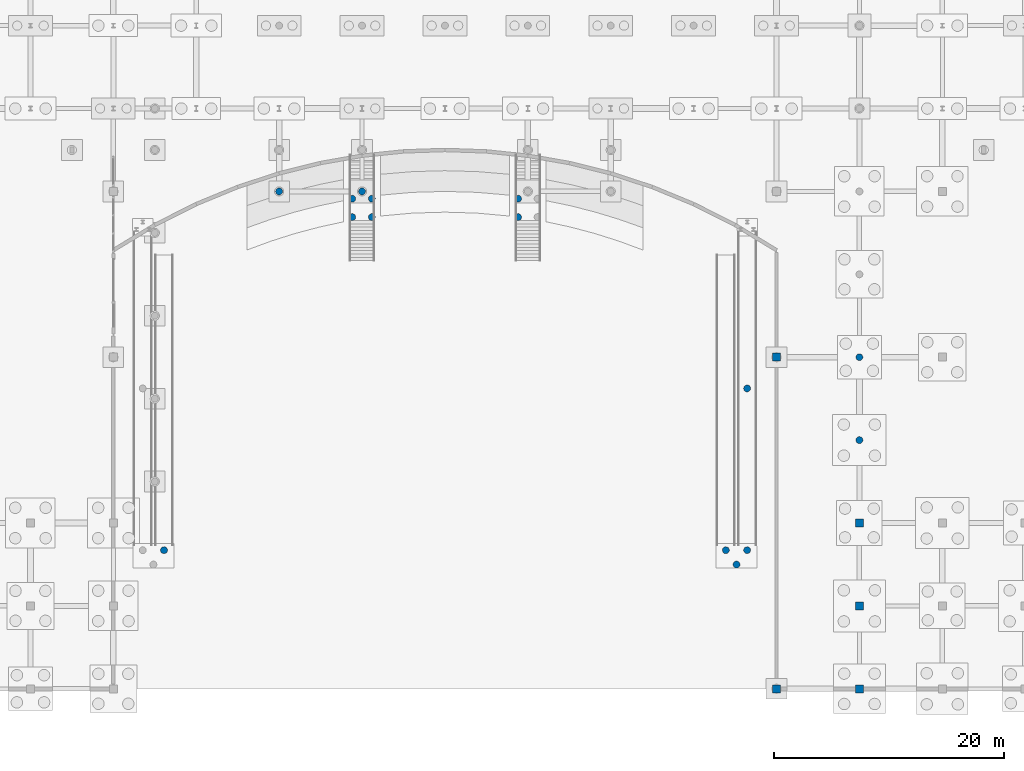
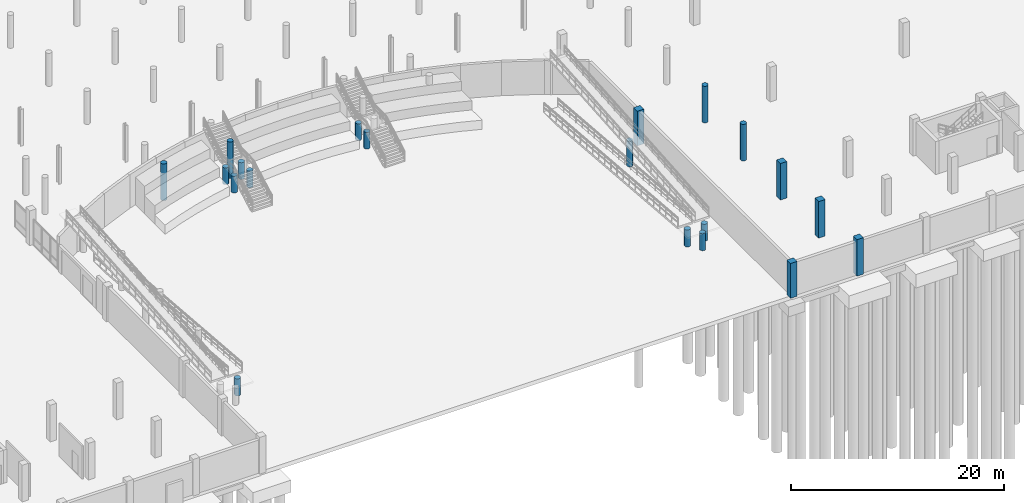
# One storey, part 22 of 56: 20 columns.
"""IFC4 building model written with IfcOpenShell, lengths in metres."""

from ifc_helpers import new_model, si_unit, direction, frame, origin, origin_2d, place, context, subcontext, project, spatial, rectangle, circle, extrude, material, material_profile, profile_set, type_object, element, save


model = new_model("IFC4")

# Units and contexts
model_context = context("Model", 3, precision=1e-05, world=origin(), true_north=direction((0.0, 1.0)))
body_context = subcontext(model_context, "Body", "Model", "MODEL_VIEW")
ifc_project = project(units=[si_unit("LENGTHUNIT", "METRE"), si_unit("AREAUNIT", "SQUARE_METRE"), si_unit("VOLUMEUNIT", "CUBIC_METRE"), si_unit("PLANEANGLEUNIT", "RADIAN"), si_unit("MASSUNIT", "GRAM", prefix="KILO")], contexts=[model_context])

# Site, building, storey
site_placement = place(None, origin())
site = spatial("IfcSite", under=ifc_project, at=site_placement, CompositionType="ELEMENT")
building_placement = place(site_placement, origin())
building = spatial("IfcBuilding", under=site, at=building_placement, Name="Suanplinth Sawtooth Commons", CompositionType="ELEMENT")
storey_placement = place(building_placement, frame((0.0, 0.0, -4.199951171875)))
storey = spatial("IfcBuildingStorey", under=building, at=storey_placement, Name="B1", CompositionType="ELEMENT", Elevation=-4.199951171875)

# Columns
ifc_material = material(Name="Concrete C40/50", Category="concrete")
ifc_material_profile_1 = material_profile(ifc_material, rectangle(XDim=0.699951171875, YDim=0.699951171875, at=origin_2d()), Name="RC-COL 700x700")
ifc_profile_set_1 = profile_set([ifc_material_profile_1], Name="Concrete C40/50")
column_type_1 = type_object("IfcColumnType", Name="C-02", PredefinedType="COLUMN", material=ifc_profile_set_1)
for number, where, z_axis, x_axis, name in (
    (1, (115.199951171875, 0.0, 0.0), (0.0, 0.0, 1.0), (1.0, 0.0, 0.0), "Column B1 17/A"),
    (2, (115.199951171875, 28.800048828125, 0.0), (0.0, 0.0, 1.0), (1.0, 0.0, 0.0), "Column B1 17/E"),
):
    element("IfcColumn", number, at=place(storey_placement, frame(where, z_axis=z_axis, x_axis=x_axis)), inside=storey, type_object=column_type_1, Name=name, PredefinedType="COLUMN", context=body_context, shape_type="SweptSolid", body=[
        extrude(rectangle(XDim=0.699951171875, YDim=0.699951171875, at=origin_2d()), origin(), (0.0, 0.0, 1.0), 3.97998046875),
    ])
for number, where, z_axis, x_axis, name in (
    (3, (122.39990234375, 0.0, 0.0), (0.0, 0.0, 1.0), (1.0, 0.0, 0.0), "Column B1 18/A"),
    (4, (122.39990234375, 7.199951171875, 0.0), (0.0, 0.0, 1.0), (1.0, 0.0, 0.0), "Column B1 18/B"),
    (5, (122.39990234375, 14.39990234375, 0.0), (0.0, 0.0, 1.0), (1.0, 0.0, 0.0), "Column B1 18/C"),
):
    element("IfcColumn", number, at=place(storey_placement, frame(where, z_axis=z_axis, x_axis=x_axis)), inside=storey, type_object=column_type_1, Name=name, PredefinedType="COLUMN", context=body_context, shape_type="SweptSolid", body=[
        extrude(rectangle(XDim=0.699951171875, YDim=0.699951171875, at=origin_2d()), origin(), (0.0, 0.0, 1.0), 4.199951171875),
    ])
ifc_material_profile_2 = material_profile(ifc_material, circle(Radius=0.300048828125, at=origin_2d()), Name="RC-CIRC D600")
ifc_profile_set_2 = profile_set([ifc_material_profile_2], Name="Concrete C40/50")
column_type_2 = type_object("IfcColumnType", Name="C-08", PredefinedType="COLUMN", material=ifc_profile_set_2)
for number, where, z_axis, x_axis, name in (
    (6, (72.0, 43.199951171875, 0.0), (0.0, 0.0, 1.0), (1.0, 0.0, 0.0), "Column B1 11/G"),
    (7, (79.199951171875, 43.199951171875, 0.0), (0.0, 0.0, 1.0), (1.0, 0.0, 0.0), "Column B1 12/G"),
    (8, (122.39990234375, 21.60009765625, 0.0), (0.0, 0.0, 1.0), (1.0, 0.0, 0.0), "Column B1 18/D"),
    (9, (122.39990234375, 28.800048828125, 0.0), (0.0, 0.0, 1.0), (1.0, 0.0, 0.0), "Column B1 18/E"),
):
    element("IfcColumn", number, at=place(storey_placement, frame(where, z_axis=z_axis, x_axis=x_axis)), inside=storey, type_object=column_type_2, Name=name, PredefinedType="COLUMN", context=body_context, shape_type="SweptSolid", body=[
        extrude(circle(Radius=0.300048828125, at=origin_2d()), origin(), (0.0, 0.0, 1.0), 4.199951171875),
    ])
for number, where, z_axis, x_axis, name in (
    (10, (78.35009765625, 40.968994140625, 0.0), (0.0, 0.0, 1.0), (1.0, 0.0, 0.0), "Forecourt Stair Landing Pier 1-1"),
    (11, (80.050048828125, 40.968994140625, 0.0), (0.0, 0.0, 1.0), (1.0, 0.0, 0.0), "Forecourt Stair Landing Pier 1-2"),
    (12, (78.35009765625, 42.569091796875, 0.0), (0.0, 0.0, 1.0), (1.0, 0.0, 0.0), "Forecourt Stair Landing Pier 1-3"),
    (13, (80.050048828125, 42.569091796875, 0.0), (0.0, 0.0, 1.0), (1.0, 0.0, 0.0), "Forecourt Stair Landing Pier 1-4"),
    (14, (92.75, 40.968994140625, 0.0), (0.0, 0.0, 1.0), (1.0, 0.0, 0.0), "Forecourt Stair Landing Pier 2-1"),
    (15, (92.75, 42.569091796875, 0.0), (0.0, 0.0, 1.0), (1.0, 0.0, 0.0), "Forecourt Stair Landing Pier 2-3"),
):
    element("IfcColumn", number, at=place(storey_placement, frame(where, z_axis=z_axis, x_axis=x_axis)), inside=storey, type_object=column_type_2, Name=name, PredefinedType="COLUMN", context=body_context, shape_type="SweptSolid", body=[
        extrude(circle(Radius=0.300048828125, at=origin_2d()), origin(), (0.0, 0.0, 1.0), 1.909912109375),
    ])
for number, where, z_axis, x_axis, name in (
    (16, (62.0, 12.0380859375, 0.0), (0.0, 0.0, 1.0), (1.0, 0.0, 0.0), "RMP-AR-01 Mid-Landing Support Pier 1"),
    (17, (110.800048828125, 12.0380859375, 0.0), (0.0, 0.0, 1.0), (1.0, 0.0, 0.0), "RMP-AR-02 Mid-Landing Support Pier 1"),
    (18, (112.64990234375, 12.0380859375, 0.0), (0.0, 0.0, 1.0), (1.0, 0.0, 0.0), "RMP-AR-02 Mid-Landing Support Pier 2"),
    (19, (111.72509765625, 10.7880859375, 0.0), (0.0, 0.0, 1.0), (1.0, 0.0, 0.0), "RMP-AR-02 Mid-Landing Support Pier 3"),
):
    element("IfcColumn", number, at=place(storey_placement, frame(where, z_axis=z_axis, x_axis=x_axis)), inside=storey, type_object=column_type_2, Name=name, PredefinedType="COLUMN", context=body_context, shape_type="SweptSolid", body=[
        extrude(circle(Radius=0.300048828125, at=origin_2d()), origin(), (0.0, 0.0, 1.0), 1.949951171875),
    ])
column_placement = place(storey_placement, frame((112.64990234375, 26.088134765625, 0.0), z_axis=(0.0, 0.0, 1.0), x_axis=(1.0, 0.0, 0.0)))
element("IfcColumn", 20, at=column_placement, inside=storey, type_object=column_type_2, Name="RMP-AR-02 Upper Flight Support Pier", PredefinedType="COLUMN", context=body_context, shape_type="SweptSolid", body=[
    extrude(circle(Radius=0.300048828125, at=origin_2d()), origin(), (0.0, 0.0, 1.0), 2.949951171875),
])

save(model, "model.ifc")
